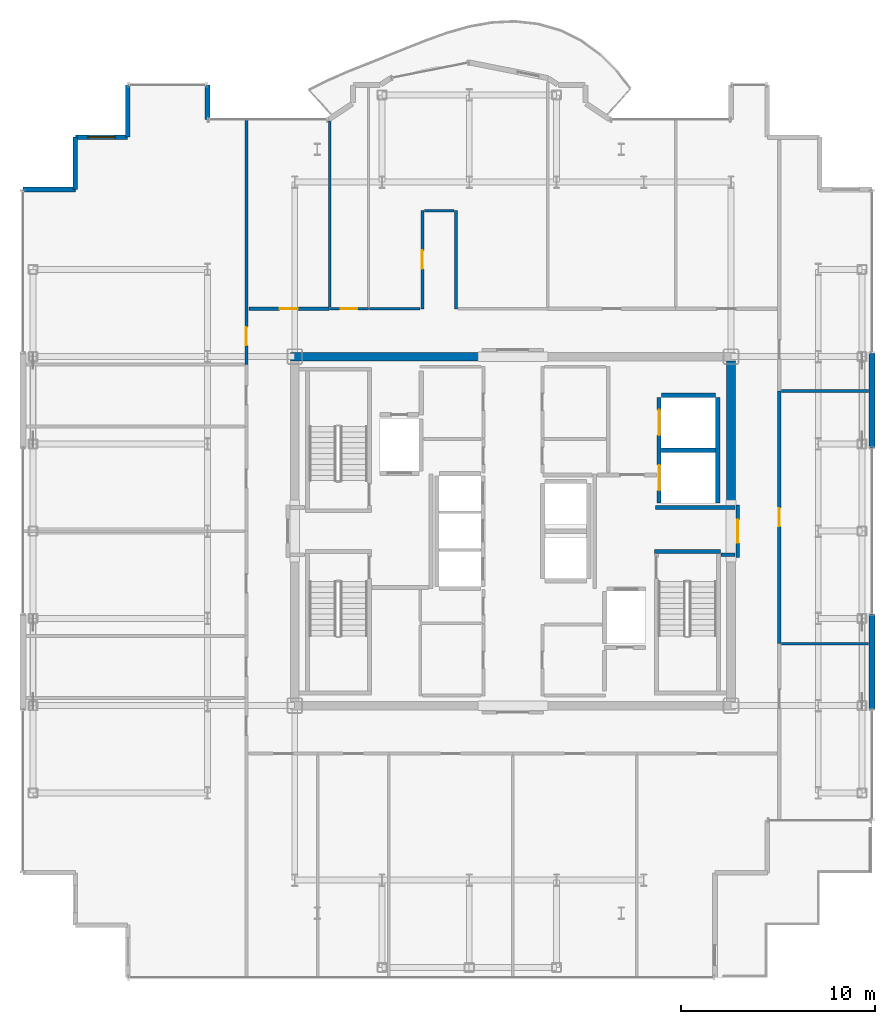
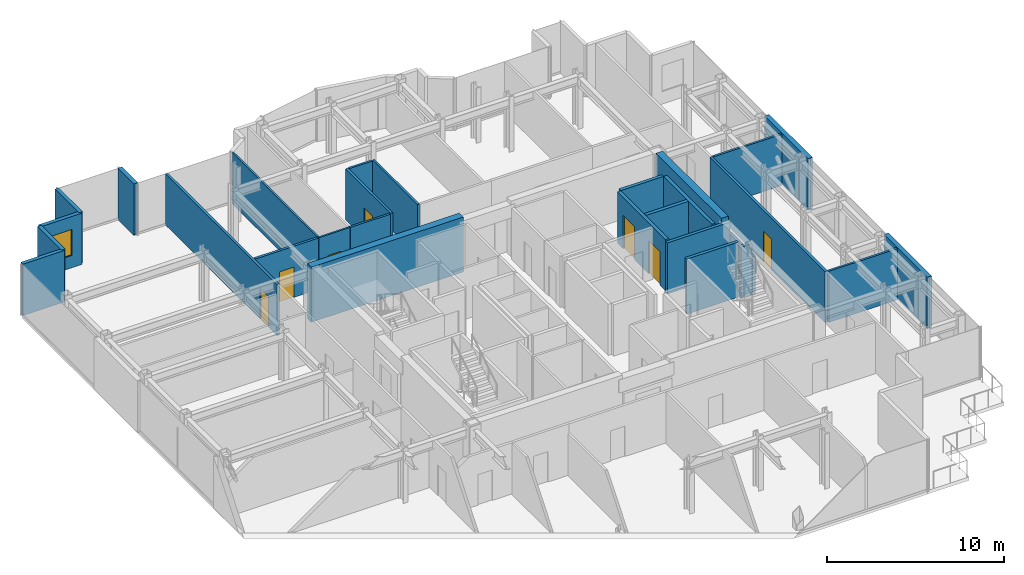
# One storey, part 14 of 18: 28 walls, 8 doors, 1 window, 9 openings.
"""IFC4 building model written with IfcOpenShell, lengths in metres."""

from ifc_helpers import new_model, si_unit, direction, frame, frame_2d, origin, place, context, subcontext, project, spatial, rectangle, extrude, source, transform, mapped, material, layer, layer_set, type_object, element, fill, save


model = new_model("IFC4")

# Units and contexts
model_context = context("Model", 3, precision=1e-05, world=origin(), true_north=direction((0.0, 1.0)))
body_context = subcontext(model_context, "Body", "Model", "MODEL_VIEW")
ifc_project = project(units=[si_unit("LENGTHUNIT", "METRE"), si_unit("AREAUNIT", "SQUARE_METRE"), si_unit("VOLUMEUNIT", "CUBIC_METRE"), si_unit("PLANEANGLEUNIT", "RADIAN"), si_unit("MASSUNIT", "GRAM", prefix="KILO")], contexts=[model_context])

# Site, building, storey
site_placement = place(None, origin())
site = spatial("IfcSite", under=ifc_project, at=site_placement, CompositionType="ELEMENT")
building_placement = place(site_placement, origin())
building = spatial("IfcBuilding", under=site, at=building_placement, Name="Nefas-Gora Pilgrimage Tower", CompositionType="ELEMENT")
storey_placement = place(building_placement, frame((0.0, 0.0, 298.800048828125)))
storey = spatial("IfcBuildingStorey", under=building, at=storey_placement, Name="L75", CompositionType="ELEMENT", Elevation=298.800048828125)

# Walls
ifc_material_1 = material(Name="Concrete C50/60", Category="concrete")
ifc_layer_1 = layer(ifc_material_1, 0.449951171875)
ifc_layer_set_1 = layer_set([ifc_layer_1], Name="Concrete C50/60")
wall_type_1 = type_object("IfcWallType", Name="SW-CORE-450", PredefinedType="SHEAR", material=ifc_layer_set_1)
shared_shape_1 = source(origin(), body_context, "Body", "SweptSolid", [
    extrude(rectangle(XDim=9.925048828125, YDim=0.449951171875, at=frame_2d((4.96240234375, 0.0))), origin(), (0.0, 0.0, 1.0), 3.800048828125),
])
wall_1_placement = place(storey_placement, frame((-11.47509765625, 9.0, 0.0), z_axis=(0.0, 0.0, 1.0), x_axis=(1.0, 0.0, 0.0)))
element("IfcWall", 1, at=wall_1_placement, inside=storey, type_object=wall_type_1, Name="L75 Core Shear Wall N-West", PredefinedType="SHEAR", context=body_context, shape_type="MappedRepresentation", body=[
    mapped(shared_shape_1, transform((0.0, 0.0, 0.0), x_axis=(1.0, 0.0, 0.0), y_axis=(0.0, 1.0, 0.0), z_axis=(0.0, 0.0, 1.0), scale=1.0)),
])
shared_shape_2 = source(origin(), body_context, "Body", "SweptSolid", [
    extrude(rectangle(XDim=7.4248046875, YDim=0.449951171875, at=frame_2d((3.71240234375, 0.0))), origin(), (0.0, 0.0, 1.0), 3.800048828125),
])
wall_2_placement = place(storey_placement, frame((11.25, 1.35009765625, 0.0), z_axis=(0.0, 0.0, 1.0), x_axis=(0.0, 1.0, 0.0)))
element("IfcWall", 2, at=wall_2_placement, inside=storey, type_object=wall_type_1, Name="L75 Core Shear Wall E-North", PredefinedType="SHEAR", context=body_context, shape_type="MappedRepresentation", body=[
    mapped(shared_shape_2, transform((0.0, 0.0, 0.0), x_axis=(1.0, 0.0, 0.0), y_axis=(0.0, 1.0, 0.0), z_axis=(0.0, 0.0, 1.0), scale=1.0)),
])
ifc_material_2 = material(Name="Precast concrete C45/55", Category="concrete")
ifc_layer_2 = layer(ifc_material_2, 0.239990234375)
ifc_layer_set_2 = layer_set([ifc_layer_2], Name="Precast concrete C45/55")
wall_type_2 = type_object("IfcWallType", Name="EW-SERR-240", PredefinedType="SHEAR", material=ifc_layer_set_2)
shared_shape_3 = source(origin(), body_context, "Body", "SweptSolid", [
    extrude(rectangle(XDim=4.8798828125, YDim=0.300048828125, at=frame_2d((2.43994140625, 0.0))), origin(), (0.0, 0.0, 1.0), 3.550048828125),
])
for number, where, z_axis, x_axis, name in (
    (3, (18.52001953125, -9.18994140625, 0.0), (0.0, 0.0, 1.0), (0.0, 1.0, 0.0), "L75 Braced-Tube Precast Shear Cladding 3"),
    (4, (18.52001953125, 4.31005859375, 0.0), (0.0, 0.0, 1.0), (0.0, 1.0, 0.0), "L75 Braced-Tube Precast Shear Cladding 4"),
):
    element("IfcWall", number, at=place(storey_placement, frame(where, z_axis=z_axis, x_axis=x_axis)), inside=storey, type_object=wall_type_2, Name=name, PredefinedType="SHEAR", context=body_context, shape_type="MappedRepresentation", body=[
        mapped(shared_shape_3, transform((0.0, 0.0, 0.0), x_axis=(1.0, 0.0, 0.0), y_axis=(0.0, 1.0, 0.0), z_axis=(0.0, 0.0, 1.0), scale=1.0)),
    ])
ifc_material_3 = material(Name="Precast concrete C40/50", Category="concrete")
ifc_layer_3 = layer(ifc_material_3, 0.260009765625)
ifc_layer_set_3 = layer_set([ifc_layer_3], Name="Precast concrete C40/50")
wall_type_3 = type_object("IfcWallType", Name="EW-PORTAL-260", PredefinedType="SOLIDWALL", material=ifc_layer_set_3)
shared_shape_4 = source(origin(), body_context, "Body", "SweptSolid", [
    extrude(rectangle(XDim=1.800048828125, YDim=0.260009765625, at=frame_2d((0.89990234375, 0.0))), origin(), (0.0, 0.0, 1.0), 3.550048828125),
])
wall_3_placement = place(storey_placement, frame((-15.75, 21.219970703125, 0.0), z_axis=(0.0, 0.0, 1.0), x_axis=(0.0, 1.0, 0.0)))
element("IfcWall", 5, at=wall_3_placement, inside=storey, type_object=wall_type_3, Name="L75 Lobe Shoulder Precast Spandrel Pier 23", PredefinedType="SOLIDWALL", context=body_context, shape_type="MappedRepresentation", body=[
    mapped(shared_shape_4, transform((0.0, 0.0, 0.0), x_axis=(1.0, 0.0, 0.0), y_axis=(0.0, 1.0, 0.0), z_axis=(0.0, 0.0, 1.0), scale=1.0)),
])
shared_shape_5 = source(origin(), body_context, "Body", "SweptSolid", [
    extrude(rectangle(XDim=2.699951171875, YDim=0.239990234375, at=frame_2d((1.35009765625, 0.0))), origin(), (0.0, 0.0, 1.0), 3.550048828125),
])
wall_4_placement = place(storey_placement, frame((-19.8701171875, 23.02001953125, 0.0), z_axis=(0.0, 0.0, 1.0), x_axis=(0.0, -1.0, 0.0)))
element("IfcWall", 6, at=wall_4_placement, inside=storey, type_object=wall_type_2, Name="L75 Serrated Corner Shear Pier Wall 24", PredefinedType="SHEAR", context=body_context, shape_type="MappedRepresentation", body=[
    mapped(shared_shape_5, transform((0.0, 0.0, 0.0), x_axis=(1.0, 0.0, 0.0), y_axis=(0.0, 1.0, 0.0), z_axis=(0.0, 0.0, 1.0), scale=1.0)),
])

# Wall, opening, window
wall_5_placement = place(storey_placement, frame((-19.8701171875, 20.320068359375, 0.0), z_axis=(0.0, 0.0, 1.0), x_axis=(-1.0, 0.0, 0.0)))
wall_5 = element("IfcWall", 7, at=wall_5_placement, inside=storey, type_object=wall_type_2, Name="L75 Serrated Corner Shear Pier Wall 25", PredefinedType="SHEAR", context=body_context, shape_type="MappedRepresentation", body=[
    mapped(shared_shape_5, transform((0.0, 0.0, 0.0), x_axis=(1.0, 0.0, 0.0), y_axis=(0.0, 1.0, 0.0), z_axis=(0.0, 0.0, 1.0), scale=1.0)),
])
opening_1_placement = place(wall_5_placement, frame((0.64990234375, 0.0, 0.85009765625)))
opening_1 = element("IfcOpeningElement", 8, at=opening_1_placement, cuts=wall_5, Name="Opening W-V2", PredefinedType="OPENING", context=body_context, shape_type="SweptSolid", body=[
    extrude(rectangle(XDim=1.39990234375, YDim=1.800048828125, at=frame_2d((0.699951171875, 0.89990234375))), frame((0.0, 0.1298828125, 0.0), z_axis=(0.0, -1.0, 0.0), x_axis=(1.0, 0.0, 0.0)), (0.0, 0.0, 1.0), 0.260009765625),
])
ifc_material_4 = material(Name="Dark ceramic-fritted operable aluminium-glass window", Category="aluminium")
window_type = type_object("IfcWindowType", Name="WIN-VENT-1400x1800", PartitioningType="SINGLE_PANEL", PredefinedType="WINDOW", material=ifc_material_4)
shared_shape_6 = source(origin(), body_context, "Body", "SweptSolid", [
    extrude(rectangle(XDim=1.39990234375, YDim=1.800048828125, at=frame_2d((0.699951171875, 0.89990234375))), frame((0.0, 0.030029296875, 0.0), z_axis=(0.0, -1.0, 0.0), x_axis=(1.0, 0.0, 0.0)), (0.0, 0.0, 1.0), 0.06005859375),
])
window_placement = place(opening_1_placement, origin())
window = element("IfcWindow", 9, at=window_placement, inside=storey, type_object=window_type, Name="L75 Operable Parallel-Outswing Window 25", OverallHeight=1.800048828125, OverallWidth=1.39990234375, PartitioningType="SINGLE_PANEL", PredefinedType="WINDOW", context=body_context, shape_type="MappedRepresentation", body=[
    mapped(shared_shape_6, transform((0.0, 0.0, 0.0), x_axis=(1.0, 0.0, 0.0), y_axis=(0.0, 1.0, 0.0), z_axis=(0.0, 0.0, 1.0), scale=1.0)),
])
fill(opening_1, window)

# Walls
for number, where, z_axis, x_axis, name in (
    (10, (-22.570068359375, 20.320068359375, 0.0), (0.0, 0.0, 1.0), (0.0, -1.0, 0.0), "L75 Serrated Corner Shear Pier Wall 26"),
    (11, (-22.570068359375, 17.6201171875, 0.0), (0.0, 0.0, 1.0), (-1.0, 0.0, 0.0), "L75 Serrated Corner Shear Pier Wall 27"),
):
    element("IfcWall", number, at=place(storey_placement, frame(where, z_axis=z_axis, x_axis=x_axis)), inside=storey, type_object=wall_type_2, Name=name, PredefinedType="SHEAR", context=body_context, shape_type="MappedRepresentation", body=[
        mapped(shared_shape_5, transform((0.0, 0.0, 0.0), x_axis=(1.0, 0.0, 0.0), y_axis=(0.0, 1.0, 0.0), z_axis=(0.0, 0.0, 1.0), scale=1.0)),
    ])
ifc_material_5 = material(Name="Concrete C45/55", Category="concrete")
ifc_layer_4 = layer(ifc_material_5, 0.199951171875)
ifc_layer_set_4 = layer_set([ifc_layer_4], Name="Concrete C45/55")
wall_type_4 = type_object("IfcWallType", Name="IW-STAIR-200", PredefinedType="SOLIDWALL", material=ifc_layer_set_4)
shared_shape_7 = source(origin(), body_context, "Body", "SweptSolid", [
    extrude(rectangle(XDim=3.39990234375, YDim=0.199951171875, at=frame_2d((1.699951171875, 0.0))), origin(), (0.0, 0.0, 1.0), 3.800048828125),
])
wall_6_placement = place(storey_placement, frame((7.300048828125, -1.050048828125, 0.0), z_axis=(0.0, 0.0, 1.0), x_axis=(1.0, 0.0, 0.0)))
element("IfcWall", 12, at=wall_6_placement, inside=storey, type_object=wall_type_4, Name="L75 Stairwell Shear Wall ST-02-near", PredefinedType="SOLIDWALL", context=body_context, shape_type="MappedRepresentation", body=[
    mapped(shared_shape_7, transform((0.0, 0.0, 0.0), x_axis=(1.0, 0.0, 0.0), y_axis=(0.0, 1.0, 0.0), z_axis=(0.0, 0.0, 1.0), scale=1.0)),
])

# Wall, openings, doors
ifc_material_6 = material(Name="Concrete C40/50", Category="concrete")
ifc_layer_5 = layer(ifc_material_6, 0.219970703125)
ifc_layer_set_5 = layer_set([ifc_layer_5], Name="Concrete C40/50")
wall_type_5 = type_object("IfcWallType", Name="IW-SHAFT-220", PredefinedType="SOLIDWALL", material=ifc_layer_set_5)
shared_shape_8 = source(origin(), body_context, "Body", "SweptSolid", [
    extrude(rectangle(XDim=5.449951171875, YDim=0.219970703125, at=frame_2d((2.72509765625, 0.0))), origin(), (0.0, 0.0, 1.0), 3.534912109375),
])
wall_7_placement = place(storey_placement, frame((7.5400390625, 6.89990234375, 0.0), z_axis=(0.0, 0.0, 1.0), x_axis=(0.0, -1.0, 0.0)))
wall_7 = element("IfcWall", 13, at=wall_7_placement, inside=storey, type_object=wall_type_5, Name="L75 Hoistway Wall SL-01-02-W", PredefinedType="SOLIDWALL", context=body_context, shape_type="MappedRepresentation", body=[
    mapped(shared_shape_8, transform((0.0, 0.0, 0.0), x_axis=(1.0, 0.0, 0.0), y_axis=(0.0, 1.0, 0.0), z_axis=(0.0, 0.0, 1.0), scale=1.0)),
])
opening_2_placement = place(wall_7_placement, frame((3.5, 0.0, 0.0)))
opening_2 = element("IfcOpeningElement", 14, at=opening_2_placement, cuts=wall_7, Name="Opening LD-SV", PredefinedType="OPENING", context=body_context, shape_type="SweptSolid", body=[
    extrude(rectangle(XDim=1.300048828125, YDim=2.300048828125, at=frame_2d((0.64990234375, 1.14990234375))), frame((0.0, 0.119873046875, 0.0), z_axis=(0.0, -1.0, 0.0), x_axis=(1.0, 0.0, 0.0)), (0.0, 0.0, 1.0), 0.239990234375),
])
opening_3_placement = place(wall_7_placement, frame((0.64990234375, 0.0, 0.0)))
opening_3 = element("IfcOpeningElement", 15, at=opening_3_placement, cuts=wall_7, Name="Opening LD-SV", PredefinedType="OPENING", context=body_context, shape_type="SweptSolid", body=[
    extrude(rectangle(XDim=1.300048828125, YDim=2.300048828125, at=frame_2d((0.64990234375, 1.14990234375))), frame((0.0, 0.119873046875, 0.0), z_axis=(0.0, -1.0, 0.0), x_axis=(1.0, 0.0, 0.0)), (0.0, 0.0, 1.0), 0.239990234375),
])
ifc_material_7 = material(Name="Heavy goods sliding lift landing door")
door_type_1 = type_object("IfcDoorType", Name="DR-LIFT-SERV-1300", OperationType="SLIDING_TO_RIGHT", PredefinedType="DOOR", material=ifc_material_7)
shared_shape_9 = source(origin(), body_context, "Body", "SweptSolid", [
    extrude(rectangle(XDim=1.300048828125, YDim=2.300048828125, at=frame_2d((0.64990234375, 1.14990234375))), frame((0.0, 0.02490234375, 0.0), z_axis=(0.0, -1.0, 0.0), x_axis=(1.0, 0.0, 0.0)), (0.0, 0.0, 1.0), 0.050048828125),
])
door_1_placement = place(opening_2_placement, origin())
door_1 = element("IfcDoor", 16, at=door_1_placement, inside=storey, type_object=door_type_1, Name="L75 Sliding Lift Landing Door SL-01", OperationType="SLIDING_TO_RIGHT", OverallHeight=2.300048828125, OverallWidth=1.300048828125, PredefinedType="DOOR", context=body_context, shape_type="MappedRepresentation", body=[
    mapped(shared_shape_9, transform((0.0, 0.0, 0.0), x_axis=(1.0, 0.0, 0.0), y_axis=(0.0, 1.0, 0.0), z_axis=(0.0, 0.0, 1.0), scale=1.0)),
])
fill(opening_2, door_1)
door_2_placement = place(opening_3_placement, origin())
door_2 = element("IfcDoor", 17, at=door_2_placement, inside=storey, type_object=door_type_1, Name="L75 Sliding Lift Landing Door SL-02", OperationType="SLIDING_TO_RIGHT", OverallHeight=2.300048828125, OverallWidth=1.300048828125, PredefinedType="DOOR", context=body_context, shape_type="MappedRepresentation", body=[
    mapped(shared_shape_9, transform((0.0, 0.0, 0.0), x_axis=(1.0, 0.0, 0.0), y_axis=(0.0, 1.0, 0.0), z_axis=(0.0, 0.0, 1.0), scale=1.0)),
])
fill(opening_3, door_2)

# Walls
wall_8_placement = place(storey_placement, frame((10.56005859375, 1.449951171875, 0.0), z_axis=(0.0, 0.0, 1.0), x_axis=(0.0, 1.0, 0.0)))
element("IfcWall", 18, at=wall_8_placement, inside=storey, type_object=wall_type_5, Name="L75 Hoistway Wall SL-01-02-E", PredefinedType="SOLIDWALL", context=body_context, shape_type="MappedRepresentation", body=[
    mapped(shared_shape_8, transform((0.0, 0.0, 0.0), x_axis=(1.0, 0.0, 0.0), y_axis=(0.0, 1.0, 0.0), z_axis=(0.0, 0.0, 1.0), scale=1.0)),
])
shared_shape_10 = source(origin(), body_context, "Body", "SweptSolid", [
    extrude(rectangle(XDim=2.780029296875, YDim=0.219970703125, at=frame_2d((1.39013671875, 0.0))), origin(), (0.0, 0.0, 1.0), 3.534912109375),
])
for number, where, z_axis, x_axis, name in (
    (19, (7.659912109375, 4.175048828125, 0.0), (0.0, 0.0, 1.0), (1.0, 0.0, 0.0), "L75 Hoistway Wall SL-01-02-DIV"),
    (20, (10.43994140625, 7.010009765625, 0.0), (0.0, 0.0, 1.0), (-1.0, 0.0, 0.0), "L75 Hoistway Wall SL-02-N"),
):
    element("IfcWall", number, at=place(storey_placement, frame(where, z_axis=z_axis, x_axis=x_axis)), inside=storey, type_object=wall_type_5, Name=name, PredefinedType="SOLIDWALL", context=body_context, shape_type="MappedRepresentation", body=[
        mapped(shared_shape_10, transform((0.0, 0.0, 0.0), x_axis=(1.0, 0.0, 0.0), y_axis=(0.0, 1.0, 0.0), z_axis=(0.0, 0.0, 1.0), scale=1.0)),
    ])
ifc_material_8 = material(Name="Gypsum fire-rated shaftwall")
ifc_layer_6 = layer(ifc_material_8, 0.199951171875)
ifc_layer_set_6 = layer_set([ifc_layer_6], Name="Gypsum fire-rated shaftwall")
wall_type_6 = type_object("IfcWallType", Name="IW-FFLOB-200", PredefinedType="PARTITIONING", material=ifc_layer_set_6)
shared_shape_11 = source(origin(), body_context, "Body", "SweptSolid", [
    extrude(rectangle(XDim=0.719970703125, YDim=0.199951171875, at=frame_2d((0.35986328125, 0.0))), origin(), (0.0, 0.0, 1.0), 3.534912109375),
])
wall_9_placement = place(storey_placement, frame((10.739990234375, -1.219970703125, 0.0), z_axis=(0.0, 0.0, 1.0), x_axis=(1.0, 0.0, 0.0)))
element("IfcWall", 21, at=wall_9_placement, inside=storey, type_object=wall_type_6, Name="L75 FF Lobby East Throat S Wall 15", PredefinedType="PARTITIONING", context=body_context, shape_type="MappedRepresentation", body=[
    mapped(shared_shape_11, transform((0.0, 0.0, 0.0), x_axis=(1.0, 0.0, 0.0), y_axis=(0.0, 1.0, 0.0), z_axis=(0.0, 0.0, 1.0), scale=1.0)),
])
shared_shape_12 = source(origin(), body_context, "Body", "SweptSolid", [
    extrude(rectangle(XDim=4.10986328125, YDim=0.199951171875, at=frame_2d((2.054931640625, 0.0))), origin(), (0.0, 0.0, 1.0), 3.534912109375),
])
wall_10_placement = place(storey_placement, frame((7.35009765625, 1.219970703125, 0.0), z_axis=(0.0, 0.0, 1.0), x_axis=(1.0, 0.0, 0.0)))
element("IfcWall", 22, at=wall_10_placement, inside=storey, type_object=wall_type_6, Name="L75 FF Lobby East Throat N Wall 14", PredefinedType="PARTITIONING", context=body_context, shape_type="MappedRepresentation", body=[
    mapped(shared_shape_12, transform((0.0, 0.0, 0.0), x_axis=(1.0, 0.0, 0.0), y_axis=(0.0, 1.0, 0.0), z_axis=(0.0, 0.0, 1.0), scale=1.0)),
])

# Wall, opening, door
ifc_material_9 = material(Name="Moisture-resistant fire-rated gypsum partition")
ifc_layer_7 = layer(ifc_material_9, 0.1201171875)
ifc_layer_set_7 = layer_set([ifc_layer_7], Name="Moisture-resistant fire-rated gypsum partition")
wall_type_7 = type_object("IfcWallType", Name="IW-WET-120", PredefinedType="PLUMBINGWALL", material=ifc_layer_set_7)
shared_shape_13 = source(origin(), body_context, "Body", "SweptSolid", [
    extrude(rectangle(XDim=2.02001953125, YDim=0.1201171875, at=frame_2d((1.010009765625, 0.0))), origin(), (0.0, 0.0, 1.0), 3.534912109375),
])
wall_11_placement = place(storey_placement, frame((-9.4599609375, 11.469970703125, 0.0), z_axis=(0.0, 0.0, 1.0), x_axis=(1.0, 0.0, 0.0)))
wall_11 = element("IfcWall", 23, at=wall_11_placement, inside=storey, type_object=wall_type_7, Name="L75 Accessible Unisex WC Partition Wall 36", PredefinedType="PLUMBINGWALL", context=body_context, shape_type="MappedRepresentation", body=[
    mapped(shared_shape_13, transform((0.0, 0.0, 0.0), x_axis=(1.0, 0.0, 0.0), y_axis=(0.0, 1.0, 0.0), z_axis=(0.0, 0.0, 1.0), scale=1.0)),
])
opening_4_placement = place(wall_11_placement, frame((0.5849609375, 0.0, 0.0)))
opening_4 = element("IfcOpeningElement", 24, at=opening_4_placement, cuts=wall_11, Name="Opening ID-BT1", PredefinedType="OPENING", context=body_context, shape_type="SweptSolid", body=[
    extrude(rectangle(XDim=0.85009765625, YDim=2.10009765625, at=frame_2d((0.425048828125, 1.050048828125))), frame((0.0, 0.070068359375, 0.0), z_axis=(0.0, -1.0, 0.0), x_axis=(1.0, 0.0, 0.0)), (0.0, 0.0, 1.0), 0.14013671875),
])
ifc_material_10 = material(Name="Moisture-resistant fire-rated timber door", Category="wood")
door_type_2 = type_object("IfcDoorType", Name="DR-INT-BATH-850", OperationType="NOTDEFINED", PredefinedType="DOOR", material=ifc_material_10)
shared_shape_14 = source(origin(), body_context, "Body", "SweptSolid", [
    extrude(rectangle(XDim=0.85009765625, YDim=2.10009765625, at=frame_2d((0.425048828125, 1.050048828125))), frame((0.0, 0.02490234375, 0.0), z_axis=(0.0, -1.0, 0.0), x_axis=(1.0, 0.0, 0.0)), (0.0, 0.0, 1.0), 0.050048828125),
])
door_3_placement = place(opening_4_placement, origin())
door_3 = element("IfcDoor", 25, at=door_3_placement, inside=storey, type_object=door_type_2, Name="L75 Accessible Unisex WC Door 15", OperationType="SINGLE_SWING_LEFT", OverallHeight=2.10009765625, OverallWidth=0.85009765625, PredefinedType="DOOR", context=body_context, shape_type="MappedRepresentation", body=[
    mapped(shared_shape_14, transform((0.0, 0.0, 0.0), x_axis=(1.0, 0.0, 0.0), y_axis=(0.0, 1.0, 0.0), z_axis=(0.0, 0.0, 1.0), scale=1.0)),
])
fill(opening_4, door_3)

# Wall
shared_shape_15 = source(origin(), body_context, "Body", "SweptSolid", [
    extrude(rectangle(XDim=9.586669921875, YDim=0.1201171875, at=frame_2d((4.79345703125, 0.0))), origin(), (0.0, 0.0, 1.0), 3.534912109375),
])
wall_12_placement = place(storey_placement, frame((-9.449951171875, 11.570068359375, 0.0), z_axis=(0.0, 0.0, 1.0), x_axis=(0.0, 1.0, 0.0)))
element("IfcWall", 26, at=wall_12_placement, inside=storey, type_object=wall_type_7, Name="L75 Accessible Unisex WC Partition Wall 38", PredefinedType="PLUMBINGWALL", context=body_context, shape_type="MappedRepresentation", body=[
    mapped(shared_shape_15, transform((0.0, 0.0, 0.0), x_axis=(1.0, 0.0, 0.0), y_axis=(0.0, 1.0, 0.0), z_axis=(0.0, 0.0, 1.0), scale=1.0)),
])

# Wall, opening, door
ifc_material_11 = material(Name="Gypsum acoustic stud partition")
ifc_layer_8 = layer(ifc_material_11, 0.159912109375)
ifc_layer_set_8 = layer_set([ifc_layer_8], Name="Gypsum acoustic stud partition")
wall_type_8 = type_object("IfcWallType", Name="IW-CORR-160", PredefinedType="PARTITIONING", material=ifc_layer_set_8)
shared_shape_16 = source(origin(), body_context, "Body", "SweptSolid", [
    extrude(rectangle(XDim=4.125, YDim=0.159912109375, at=frame_2d((2.0625, 0.0))), origin(), (0.0, 0.0, 1.0), 3.534912109375),
])
wall_13_placement = place(storey_placement, frame((-13.6201171875, 11.469970703125, 0.0), z_axis=(0.0, 0.0, 1.0), x_axis=(1.0, 0.0, 0.0)))
wall_13 = element("IfcWall", 27, at=wall_13_placement, inside=storey, type_object=wall_type_8, Name="L75 Pilgrim Contemplative Lounge Partition Wall 55", PredefinedType="PARTITIONING", context=body_context, shape_type="MappedRepresentation", body=[
    mapped(shared_shape_16, transform((0.0, 0.0, 0.0), x_axis=(1.0, 0.0, 0.0), y_axis=(0.0, 1.0, 0.0), z_axis=(0.0, 0.0, 1.0), scale=1.0)),
])
opening_5_placement = place(wall_13_placement, frame((1.58740234375, 0.0, 0.0)))
opening_5 = element("IfcOpeningElement", 28, at=opening_5_placement, cuts=wall_13, Name="Opening ID-GR1", PredefinedType="OPENING", context=body_context, shape_type="SweptSolid", body=[
    extrude(rectangle(XDim=0.949951171875, YDim=2.10009765625, at=frame_2d((0.47509765625, 1.050048828125))), frame((0.0, 0.08984375, 0.0), z_axis=(0.0, -1.0, 0.0), x_axis=(1.0, 0.0, 0.0)), (0.0, 0.0, 1.0), 0.179931640625),
])
ifc_material_12 = material(Name="Solid core oak fire-rated guest entrance door")
door_type_3 = type_object("IfcDoorType", Name="DR-INT-GUEST-950", OperationType="NOTDEFINED", PredefinedType="DOOR", material=ifc_material_12)
shared_shape_17 = source(origin(), body_context, "Body", "SweptSolid", [
    extrude(rectangle(XDim=0.949951171875, YDim=2.10009765625, at=frame_2d((0.47509765625, 1.050048828125))), frame((0.0, 0.02490234375, 0.0), z_axis=(0.0, -1.0, 0.0), x_axis=(1.0, 0.0, 0.0)), (0.0, 0.0, 1.0), 0.050048828125),
])
door_4_placement = place(opening_5_placement, origin())
door_4 = element("IfcDoor", 29, at=door_4_placement, inside=storey, type_object=door_type_3, Name="L75 Pilgrim Contemplative Lounge Door 25", OperationType="SINGLE_SWING_LEFT", OverallHeight=2.10009765625, OverallWidth=0.949951171875, PredefinedType="DOOR", context=body_context, shape_type="MappedRepresentation", body=[
    mapped(shared_shape_17, transform((0.0, 0.0, 0.0), x_axis=(1.0, 0.0, 0.0), y_axis=(0.0, 1.0, 0.0), z_axis=(0.0, 0.0, 1.0), scale=1.0)),
])
fill(opening_5, door_4)

shared_shape_18 = source(origin(), body_context, "Body", "SweptSolid", [
    extrude(rectangle(XDim=12.64501953125, YDim=0.159912109375, at=frame_2d((6.322509765625, 0.0))), origin(), (0.0, 0.0, 1.0), 3.534912109375),
])
wall_14_placement = place(storey_placement, frame((-13.739990234375, 8.594970703125, 0.0), z_axis=(0.0, 0.0, 1.0), x_axis=(0.0, 1.0, 0.0)))
wall_14 = element("IfcWall", 30, at=wall_14_placement, inside=storey, type_object=wall_type_8, Name="L75 Pilgrim Tea and Beverage Pantry Partition Wall 49", PredefinedType="PARTITIONING", context=body_context, shape_type="MappedRepresentation", body=[
    mapped(shared_shape_18, transform((0.0, 0.0, 0.0), x_axis=(1.0, 0.0, 0.0), y_axis=(0.0, 1.0, 0.0), z_axis=(0.0, 0.0, 1.0), scale=1.0)),
])
opening_6_placement = place(wall_14_placement, frame((0.982421875, 0.0, 0.0)))
opening_6 = element("IfcOpeningElement", 31, at=opening_6_placement, cuts=wall_14, Name="Opening ID-GR1", PredefinedType="OPENING", context=body_context, shape_type="SweptSolid", body=[
    extrude(rectangle(XDim=0.949951171875, YDim=2.10009765625, at=frame_2d((0.47509765625, 1.050048828125))), frame((0.0, 0.08984375, 0.0), z_axis=(0.0, -1.0, 0.0), x_axis=(1.0, 0.0, 0.0)), (0.0, 0.0, 1.0), 0.179931640625),
])
door_5_placement = place(opening_6_placement, origin())
door_5 = element("IfcDoor", 32, at=door_5_placement, inside=storey, type_object=door_type_3, Name="L75 Pilgrim Tea and Beverage Pantry Door 21", OperationType="SINGLE_SWING_LEFT", OverallHeight=2.10009765625, OverallWidth=0.949951171875, PredefinedType="DOOR", context=body_context, shape_type="MappedRepresentation", body=[
    mapped(shared_shape_17, transform((0.0, 0.0, 0.0), x_axis=(1.0, 0.0, 0.0), y_axis=(0.0, 1.0, 0.0), z_axis=(0.0, 0.0, 1.0), scale=1.0)),
])
fill(opening_6, door_5)

# Wall
ifc_material_13 = material(Name="Gypsum twin-stud partition")
ifc_layer_9 = layer(ifc_material_13, 0.139892578125)
ifc_layer_set_9 = layer_set([ifc_layer_9], Name="Gypsum twin-stud partition")
wall_type_9 = type_object("IfcWallType", Name="IW-UNIT-140", PredefinedType="PARTITIONING", material=ifc_layer_set_9)
shared_shape_19 = source(origin(), body_context, "Body", "SweptSolid", [
    extrude(rectangle(XDim=1.510009765625, YDim=0.139892578125, at=frame_2d((0.7548828125, 0.0))), origin(), (0.0, 0.0, 1.0), 3.534912109375),
])
wall_15_placement = place(storey_placement, frame((-4.550048828125, 16.52001953125, 0.0), z_axis=(0.0, 0.0, 1.0), x_axis=(1.0, 0.0, 0.0)))
element("IfcWall", 33, at=wall_15_placement, inside=storey, type_object=wall_type_9, Name="L75 Pilgrim Contemplative Lounge Partition Wall 60", PredefinedType="PARTITIONING", context=body_context, shape_type="MappedRepresentation", body=[
    mapped(shared_shape_19, transform((0.0, 0.0, 0.0), x_axis=(1.0, 0.0, 0.0), y_axis=(0.0, 1.0, 0.0), z_axis=(0.0, 0.0, 1.0), scale=1.0)),
])

# Wall, opening, door
shared_shape_20 = source(origin(), body_context, "Body", "SweptSolid", [
    extrude(rectangle(XDim=2.7001953125, YDim=0.199951171875, at=frame_2d((1.35009765625, 0.0))), origin(), (0.0, 0.0, 1.0), 2.625),
])
wall_16_placement = place(storey_placement, frame((11.60009765625, -1.35009765625, 0.0), z_axis=(0.0, 0.0, 1.0), x_axis=(0.0, 1.0, 0.0)))
wall_16 = element("IfcWall", 34, at=wall_16_placement, inside=storey, type_object=wall_type_6, Name="L75 FF Lobby East Portal Wall 10", PredefinedType="PARTITIONING", context=body_context, shape_type="MappedRepresentation", body=[
    mapped(shared_shape_20, transform((0.0, 0.0, 0.0), x_axis=(1.0, 0.0, 0.0), y_axis=(0.0, 1.0, 0.0), z_axis=(0.0, 0.0, 1.0), scale=1.0)),
])
opening_7_placement = place(wall_16_placement, frame((0.75, 0.0, 0.0)))
opening_7 = element("IfcOpeningElement", 35, at=opening_7_placement, cuts=wall_16, Name="Opening ID-FF1", PredefinedType="OPENING", context=body_context, shape_type="SweptSolid", body=[
    extrude(rectangle(XDim=1.199951171875, YDim=2.14990234375, at=frame_2d((0.60009765625, 1.074951171875))), frame((0.0, 0.10986328125, 0.0), z_axis=(0.0, -1.0, 0.0), x_axis=(1.0, 0.0, 0.0)), (0.0, 0.0, 1.0), 0.219970703125),
])
ifc_material_14 = material(Name="Smoke-sealed steel firefighting lobby door", Category="steel")
door_type_4 = type_object("IfcDoorType", Name="DR-INT-FFLOB-1200", OperationType="NOTDEFINED", PredefinedType="DOOR", material=ifc_material_14)
shared_shape_21 = source(origin(), body_context, "Body", "SweptSolid", [
    extrude(rectangle(XDim=1.199951171875, YDim=2.14990234375, at=frame_2d((0.60009765625, 1.074951171875))), frame((0.0, 0.02490234375, 0.0), z_axis=(0.0, -1.0, 0.0), x_axis=(1.0, 0.0, 0.0)), (0.0, 0.0, 1.0), 0.050048828125),
])
door_6_placement = place(opening_7_placement, origin())
door_6 = element("IfcDoor", 36, at=door_6_placement, inside=storey, type_object=door_type_4, Name="L75 FF Lobby East Portal Door 4", OperationType="SINGLE_SWING_RIGHT", OverallHeight=2.14990234375, OverallWidth=1.199951171875, PredefinedType="DOOR", context=body_context, shape_type="MappedRepresentation", body=[
    mapped(shared_shape_21, transform((0.0, 0.0, 0.0), x_axis=(1.0, 0.0, 0.0), y_axis=(0.0, 1.0, 0.0), z_axis=(0.0, 0.0, 1.0), scale=1.0)),
])
fill(opening_7, door_6)

# Walls
shared_shape_22 = source(origin(), body_context, "Body", "SweptSolid", [
    extrude(rectangle(XDim=4.469970703125, YDim=0.139892578125, at=frame_2d((2.23486328125, 0.0))), origin(), (0.0, 0.0, 1.0), 3.534912109375),
])
for number, where, z_axis, x_axis, name in (
    (37, (13.860107421875, -5.804931640625, 0.0), (0.0, 0.0, 1.0), (1.0, 0.0, 0.0), "L75 Pilgrim Fellowship Seminar Room Partition Wall 51"),
    (38, (13.860107421875, 7.2275390625, 0.0), (0.0, 0.0, 1.0), (1.0, 0.0, 0.0), "L75 Pilgrim Contemplative Lounge Partition Wall 53"),
):
    element("IfcWall", number, at=place(storey_placement, frame(where, z_axis=z_axis, x_axis=x_axis)), inside=storey, type_object=wall_type_9, Name=name, PredefinedType="PARTITIONING", context=body_context, shape_type="MappedRepresentation", body=[
        mapped(shared_shape_22, transform((0.0, 0.0, 0.0), x_axis=(1.0, 0.0, 0.0), y_axis=(0.0, 1.0, 0.0), z_axis=(0.0, 0.0, 1.0), scale=1.0)),
    ])

# Wall, opening, door
shared_shape_23 = source(origin(), body_context, "Body", "SweptSolid", [
    extrude(rectangle(XDim=13.04248046875, YDim=0.159912109375, at=frame_2d((6.521240234375, 0.0))), origin(), (0.0, 0.0, 1.0), 3.534912109375),
])
wall_17_placement = place(storey_placement, frame((13.739990234375, -5.804931640625, 0.0), z_axis=(0.0, 0.0, 1.0), x_axis=(0.0, 1.0, 0.0)))
wall_17 = element("IfcWall", 39, at=wall_17_placement, inside=storey, type_object=wall_type_8, Name="L75 Pilgrim Contemplative Lounge Partition Wall 52", PredefinedType="PARTITIONING", context=body_context, shape_type="MappedRepresentation", body=[
    mapped(shared_shape_23, transform((0.0, 0.0, 0.0), x_axis=(1.0, 0.0, 0.0), y_axis=(0.0, 1.0, 0.0), z_axis=(0.0, 0.0, 1.0), scale=1.0)),
])
opening_8_placement = place(wall_17_placement, frame((6.04638671875, 0.0, 0.0)))
opening_8 = element("IfcOpeningElement", 40, at=opening_8_placement, cuts=wall_17, Name="Opening ID-GR1", PredefinedType="OPENING", context=body_context, shape_type="SweptSolid", body=[
    extrude(rectangle(XDim=0.949951171875, YDim=2.10009765625, at=frame_2d((0.47509765625, 1.050048828125))), frame((0.0, 0.08984375, 0.0), z_axis=(0.0, -1.0, 0.0), x_axis=(1.0, 0.0, 0.0)), (0.0, 0.0, 1.0), 0.179931640625),
])
door_7_placement = place(opening_8_placement, origin())
door_7 = element("IfcDoor", 41, at=door_7_placement, inside=storey, type_object=door_type_3, Name="L75 Pilgrim Contemplative Lounge Door 23", OperationType="SINGLE_SWING_LEFT", OverallHeight=2.10009765625, OverallWidth=0.949951171875, PredefinedType="DOOR", context=body_context, shape_type="MappedRepresentation", body=[
    mapped(shared_shape_17, transform((0.0, 0.0, 0.0), x_axis=(1.0, 0.0, 0.0), y_axis=(0.0, 1.0, 0.0), z_axis=(0.0, 0.0, 1.0), scale=1.0)),
])
fill(opening_8, door_7)

shared_shape_24 = source(origin(), body_context, "Body", "SweptSolid", [
    extrude(rectangle(XDim=5.080078125, YDim=0.159912109375, at=frame_2d((2.5400390625, 0.0))), origin(), (0.0, 0.0, 1.0), 3.534912109375),
])
wall_18_placement = place(storey_placement, frame((-4.669921875, 11.4599609375, 0.0), z_axis=(0.0, 0.0, 1.0), x_axis=(0.0, 1.0, 0.0)))
wall_18 = element("IfcWall", 42, at=wall_18_placement, inside=storey, type_object=wall_type_8, Name="L75 Pilgrim Contemplative Lounge Partition Wall 56", PredefinedType="PARTITIONING", context=body_context, shape_type="MappedRepresentation", body=[
    mapped(shared_shape_24, transform((0.0, 0.0, 0.0), x_axis=(1.0, 0.0, 0.0), y_axis=(0.0, 1.0, 0.0), z_axis=(0.0, 0.0, 1.0), scale=1.0)),
])
opening_9_placement = place(wall_18_placement, frame((2.06494140625, 0.0, 0.0)))
opening_9 = element("IfcOpeningElement", 43, at=opening_9_placement, cuts=wall_18, Name="Opening ID-GR1", PredefinedType="OPENING", context=body_context, shape_type="SweptSolid", body=[
    extrude(rectangle(XDim=0.949951171875, YDim=2.10009765625, at=frame_2d((0.47509765625, 1.050048828125))), frame((0.0, 0.08984375, 0.0), z_axis=(0.0, -1.0, 0.0), x_axis=(1.0, 0.0, 0.0)), (0.0, 0.0, 1.0), 0.179931640625),
])
door_8_placement = place(opening_9_placement, origin())
door_8 = element("IfcDoor", 44, at=door_8_placement, inside=storey, type_object=door_type_3, Name="L75 Pilgrim Contemplative Lounge Door 26", OperationType="SINGLE_SWING_RIGHT", OverallHeight=2.10009765625, OverallWidth=0.949951171875, PredefinedType="DOOR", context=body_context, shape_type="MappedRepresentation", body=[
    mapped(shared_shape_17, transform((0.0, 0.0, 0.0), x_axis=(1.0, 0.0, 0.0), y_axis=(0.0, 1.0, 0.0), z_axis=(0.0, 0.0, 1.0), scale=1.0)),
])
fill(opening_9, door_8)

# Walls
shared_shape_25 = source(origin(), body_context, "Body", "SweptSolid", [
    extrude(rectangle(XDim=5.080078125, YDim=0.139892578125, at=frame_2d((2.5400390625, 0.0))), origin(), (0.0, 0.0, 1.0), 3.534912109375),
])
wall_19_placement = place(storey_placement, frame((-2.929931640625, 11.4599609375, 0.0), z_axis=(0.0, 0.0, 1.0), x_axis=(0.0, 1.0, 0.0)))
element("IfcWall", 45, at=wall_19_placement, inside=storey, type_object=wall_type_9, Name="L75 Pilgrim Contemplative Lounge Partition Wall 57", PredefinedType="PARTITIONING", context=body_context, shape_type="MappedRepresentation", body=[
    mapped(shared_shape_25, transform((0.0, 0.0, 0.0), x_axis=(1.0, 0.0, 0.0), y_axis=(0.0, 1.0, 0.0), z_axis=(0.0, 0.0, 1.0), scale=1.0)),
])
shared_shape_26 = source(origin(), body_context, "Body", "SweptSolid", [
    extrude(rectangle(XDim=2.614990234375, YDim=0.139892578125, at=frame_2d((1.3076171875, 0.0))), origin(), (0.0, 0.0, 1.0), 3.534912109375),
])
wall_20_placement = place(storey_placement, frame((-7.405029296875, 11.469970703125, 0.0), z_axis=(0.0, 0.0, 1.0), x_axis=(1.0, 0.0, 0.0)))
element("IfcWall", 46, at=wall_20_placement, inside=storey, type_object=wall_type_9, Name="L75 Pilgrim Contemplative Lounge Partition Wall 59", PredefinedType="PARTITIONING", context=body_context, shape_type="MappedRepresentation", body=[
    mapped(shared_shape_26, transform((0.0, 0.0, 0.0), x_axis=(1.0, 0.0, 0.0), y_axis=(0.0, 1.0, 0.0), z_axis=(0.0, 0.0, 1.0), scale=1.0)),
])

save(model, "model.ifc")
